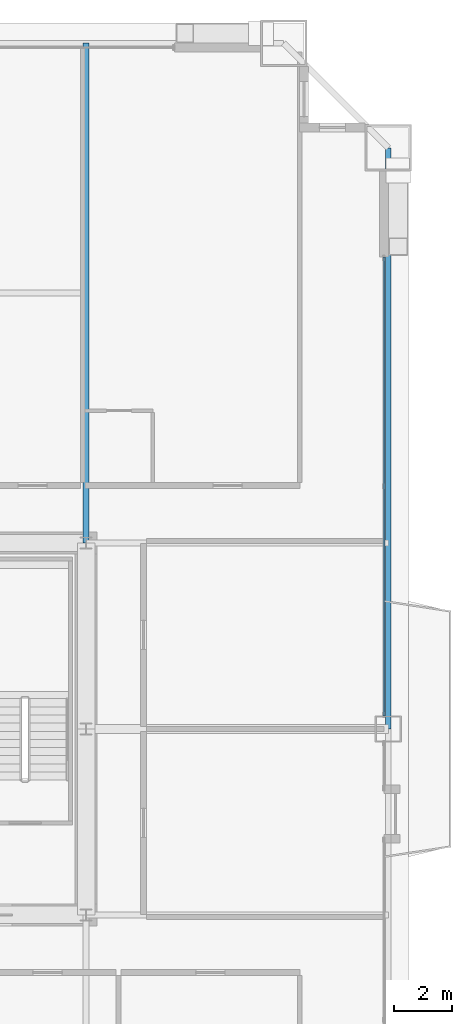
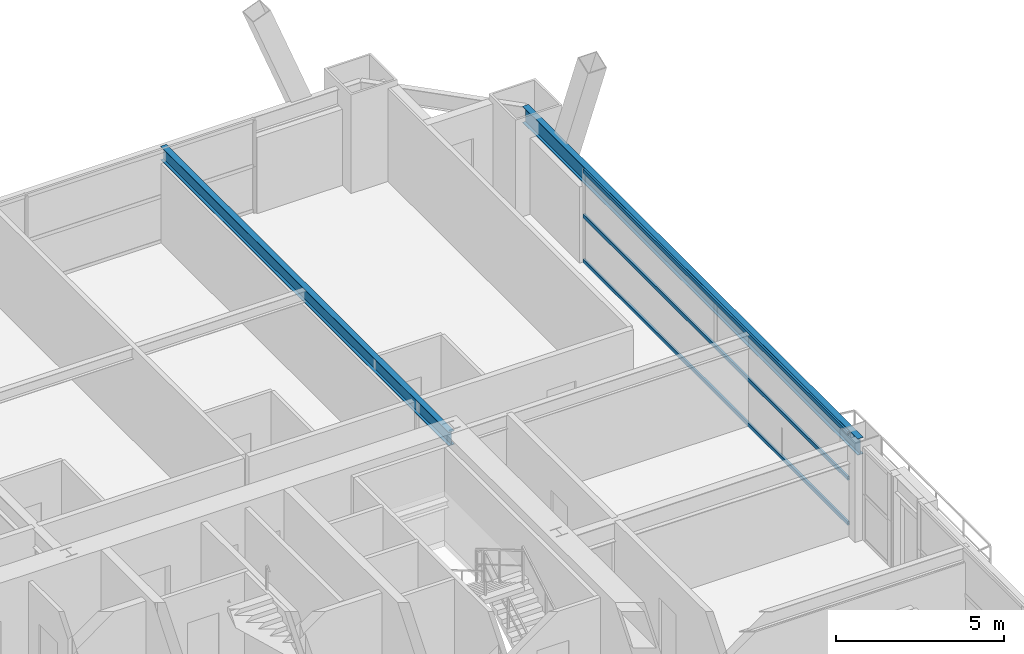
# One storey, part 32 of 43: 3 members, 2 beams, 1 element without a shape of its own.
"""IFC4 building model written with IfcOpenShell, lengths in metres."""

from ifc_helpers import new_model, si_unit, direction, frame, origin, origin_2d, place, context, subcontext, project, spatial, hollow_rectangle, i_section, extrude, source, transform, mapped, material, layer, layer_set, material_profile, profile_set, type_object, element, aggregate, save


model = new_model("IFC4")

# Units and contexts
model_context = context("Model", 3, precision=1e-05, world=origin(), true_north=direction((0.0, 1.0)))
body_context = subcontext(model_context, "Body", "Model", "MODEL_VIEW")
ifc_project = project(units=[si_unit("LENGTHUNIT", "METRE"), si_unit("AREAUNIT", "SQUARE_METRE"), si_unit("VOLUMEUNIT", "CUBIC_METRE"), si_unit("PLANEANGLEUNIT", "RADIAN"), si_unit("MASSUNIT", "GRAM", prefix="KILO"), si_unit("THERMODYNAMICTEMPERATUREUNIT", "KELVIN"), si_unit("POWERUNIT", "WATT")], contexts=[model_context])

# Site, building, storey
site_placement = place(None, origin())
site = spatial("IfcSite", under=ifc_project, at=site_placement, CompositionType="ELEMENT")
building_placement = place(site_placement, origin())
building = spatial("IfcBuilding", under=site, at=building_placement, Name="Yuzanri Waterfront Tower", CompositionType="ELEMENT")
storey_placement = place(building_placement, frame((0.0, 0.0, 159.60009765625)))
storey = spatial("IfcBuildingStorey", under=building, at=storey_placement, Name="L42", CompositionType="ELEMENT", Elevation=159.60009765625)

# Beams
ifc_material_1 = material(Name="Steel Q355B", Category="steel")
ifc_material_profile_1 = material_profile(ifc_material_1, i_section(OverallWidth=0.199951171875, OverallDepth=0.60009765625, WebThickness=0.010986328125, FlangeThickness=0.01708984375, at=origin_2d()), Name="HN 600x200x11x17")
ifc_profile_set_1 = profile_set([ifc_material_profile_1], Name="Steel Q355B")
beam_type_1 = type_object("IfcBeamType", Name="Perimeter Spandrel Q355B HN 600x200", PredefinedType="SPANDREL", material=ifc_profile_set_1)
shared_shape_1 = source(origin(), body_context, "Body", "SweptSolid", [
    extrude(i_section(OverallWidth=0.199951171875, OverallDepth=0.60009765625, WebThickness=0.010986328125, FlangeThickness=0.01708984375, at=origin_2d()), origin(), (0.0, 0.0, 1.0), 20.0),
])
beam_1_placement = place(storey_placement, frame((60.60009765625, 25.800048828125, 3.079833984375), z_axis=(0.0, 1.0, 0.0), x_axis=(-1.0, 0.0, 0.0)))
element("IfcBeam", 1, at=beam_1_placement, inside=storey, type_object=beam_type_1, Name="L42 Perimeter Spandrel E2-E3", PredefinedType="SPANDREL", context=body_context, shape_type="MappedRepresentation", body=[
    mapped(shared_shape_1, transform((0.0, 0.0, 0.0), scale=1.0)),
])
ifc_material_2 = material(Name="Steel Q355B", Category="steel")
ifc_material_profile_2 = material_profile(ifc_material_2, i_section(OverallWidth=0.199951171875, OverallDepth=0.5, WebThickness=0.010009765625, FlangeThickness=0.01611328125, at=origin_2d()), Name="HN 500x200x10x16")
ifc_profile_set_2 = profile_set([ifc_material_profile_2], Name="Steel Q355B")
beam_type_2 = type_object("IfcBeamType", Name="Secondary Floor Beam Q355B HN 500x200", PredefinedType="BEAM", material=ifc_profile_set_2)
shared_shape_2 = source(origin(), body_context, "Body", "SweptSolid", [
    extrude(i_section(OverallWidth=0.199951171875, OverallDepth=0.5, WebThickness=0.010009765625, FlangeThickness=0.01611328125, at=origin_2d()), origin(), (0.0, 0.0, 1.0), 17.199951171875),
])
beam_2_placement = place(storey_placement, frame((50.199951171875, 32.199951171875, 3.1298828125), z_axis=(0.0, 1.0, 0.0), x_axis=(-1.0, 0.0, 0.0)))
element("IfcBeam", 2, at=beam_2_placement, inside=storey, type_object=beam_type_2, Name="L42 North-East Core Line Beam", PredefinedType="BEAM", context=body_context, shape_type="MappedRepresentation", body=[
    mapped(shared_shape_2, transform((0.0, 0.0, 0.0), scale=1.0)),
])

# Curtain wall, members
ifc_material_3 = material(Name="Anodized Architectural Bronze", Category="metal")
ifc_layer = layer(ifc_material_3, 0.159912109375)
ifc_layer_set = layer_set([ifc_layer], Name="Anodized Architectural Bronze")
curtain_wall_type = type_object("IfcCurtainWallType", Name="Anodized Bronze Hotel Upper-Tier Solar-Control Unitized Curtain Wall 7800", PredefinedType="NOTDEFINED", material=ifc_layer_set)
curtain_wall_placement = place(storey_placement, origin())
curtain_wall = element("IfcCurtainWall", 3, at=curtain_wall_placement, inside=storey, type_object=curtain_wall_type, Name="L42 Curtain Wall CW-L42-ER", PredefinedType="NOTDEFINED")
ifc_material_4 = material(Name="Anodized Architectural Bronze", Category="metal")
ifc_material_profile_3 = material_profile(ifc_material_4, hollow_rectangle(XDim=0.070068359375, YDim=0.135009765625, WallThickness=0.00341796875, at=origin_2d()), Name="CWT 70x135")
ifc_profile_set_3 = profile_set([ifc_material_profile_3], Name="Anodized Architectural Bronze")
member_type = type_object("IfcMemberType", Name="Anodized Bronze Standard Curtain-Wall Transom 70x135", PredefinedType="USERDEFINED", material=ifc_profile_set_3)
shared_shape_3 = source(origin(), body_context, "Body", "SweptSolid", [
    extrude(hollow_rectangle(XDim=0.070068359375, YDim=0.135009765625, WallThickness=0.00341796875, at=origin_2d()), origin(), (0.0, 0.0, 1.0), 15.800048828125),
])
member_1_placement = place(storey_placement, frame((60.449951171875, 26.25, 0.0498046875), z_axis=(0.0, 1.0, 0.0), x_axis=(-1.0, 0.0, 0.0)))
member_1 = element("IfcMember", 4, at=member_1_placement, type_object=member_type, Name="CW-L42-ER Transom 1", ObjectType="TRANSOM", PredefinedType="USERDEFINED", context=body_context, shape_type="MappedRepresentation", body=[
    mapped(shared_shape_3, transform((0.0, 0.0, 0.0), scale=1.0)),
])
member_2_placement = place(storey_placement, frame((60.449951171875, 26.25, 1.68994140625), z_axis=(0.0, 1.0, 0.0), x_axis=(-1.0, 0.0, 0.0)))
member_2 = element("IfcMember", 5, at=member_2_placement, type_object=member_type, Name="CW-L42-ER Transom 2", ObjectType="TRANSOM", PredefinedType="USERDEFINED", context=body_context, shape_type="MappedRepresentation", body=[
    mapped(shared_shape_3, transform((0.0, 0.0, 0.0), scale=1.0)),
])
member_3_placement = place(storey_placement, frame((60.449951171875, 26.25, 3.329833984375), z_axis=(0.0, 1.0, 0.0), x_axis=(-1.0, 0.0, 0.0)))
member_3 = element("IfcMember", 6, at=member_3_placement, type_object=member_type, Name="CW-L42-ER Transom 3", ObjectType="TRANSOM", PredefinedType="USERDEFINED", context=body_context, shape_type="MappedRepresentation", body=[
    mapped(shared_shape_3, transform((0.0, 0.0, 0.0), scale=1.0)),
])
aggregate(curtain_wall, [member_1, member_2, member_3])

save(model, "model.ifc")
